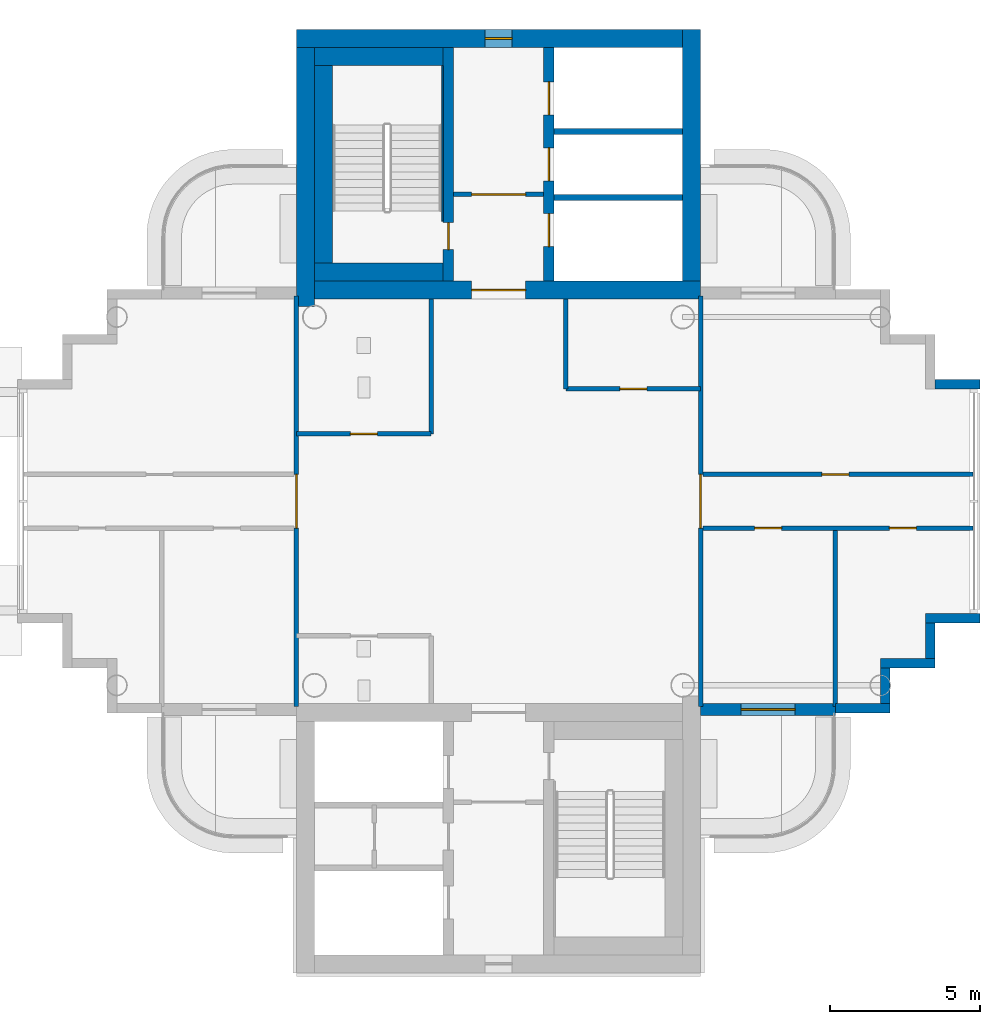
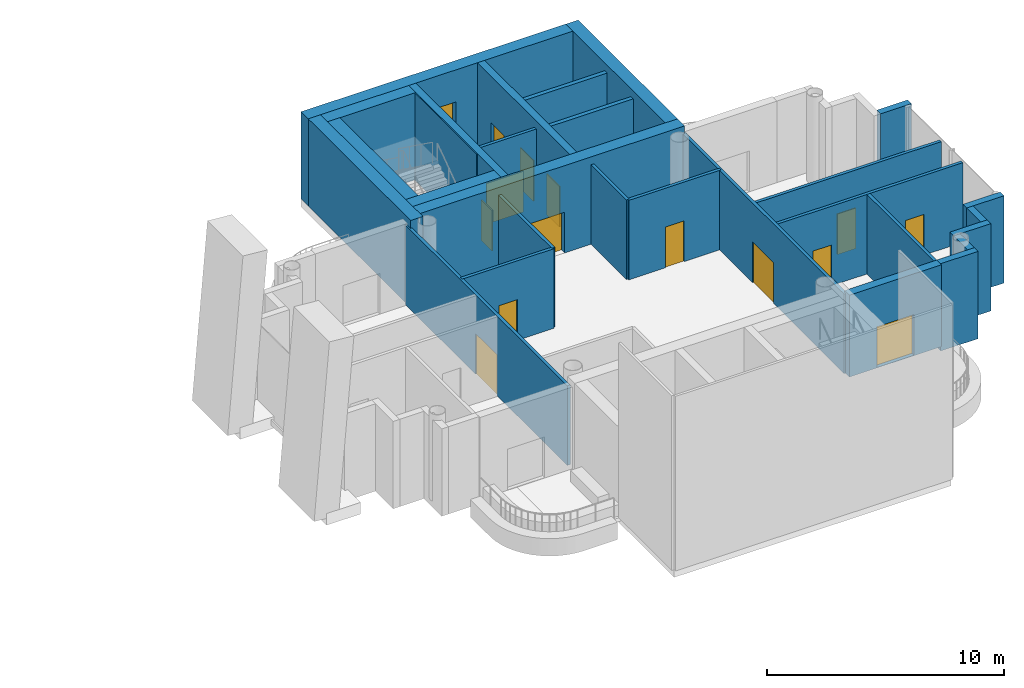
# One storey, part 10 of 19: 29 walls, 14 doors, 1 window, 15 openings.
"""IFC4 building model written with IfcOpenShell, lengths in metres."""

import ifcopenshell
import ifcopenshell.guid

model = None  # the IFC model being written
_history = None  # IfcOwnerHistory: only IFC2X3 demands one
_inside = {}  # id of a spatial element -> (the spatial element, [elements in it])
_under = {}  # id of a project, library or spatial element -> (it, [spatial elements below it])
_declared = {}  # id of a project -> (the project, [libraries it declares])
_typed = {}  # id of a type object -> (the type object, [elements of that type])
_made_of = {}  # id of a material, layer set ... -> (it, [elements and type objects made of it])


def new_model(schema):
    """Start an empty IFC model of exactly this schema.

    Asked for "IFC4X3", IfcOpenShell would pick the latest addendum, in which some entities
    have other attributes; the version numbers below select the first issue.
    IFC2X3 requires an IfcOwnerHistory on every rooted entity: one is made here for all.
    """
    global model, _history
    if schema == "IFC4X3":
        model = ifcopenshell.file(schema_version=(4, 3, 0, 0))
    else:
        model = ifcopenshell.file(schema=schema)
    _inside.clear()
    _under.clear()
    _declared.clear()
    _typed.clear()
    _made_of.clear()
    _history = None
    if model.schema == "IFC2X3":
        org = make("IfcOrganization", Name="unknown")
        user = make(
            "IfcPersonAndOrganization",
            ThePerson=make("IfcPerson", FamilyName="unknown"),
            TheOrganization=org,
        )
        app = make(
            "IfcApplication",
            ApplicationDeveloper=org,
            Version="unknown",
            ApplicationFullName="unknown",
            ApplicationIdentifier="unknown",
        )
        _history = make(
            "IfcOwnerHistory",
            OwningUser=user,
            OwningApplication=app,
            ChangeAction="ADDED",
            CreationDate=0,
        )
    return model


def make(cls, **values):
    """One entity of the class cls with the attributes given. An attribute that is None is left unset."""
    return model.create_entity(
        cls, **{name: value for name, value in values.items() if value is not None}
    )


def rooted(cls, **values):
    """An entity with a GlobalId (a new one), such as an element, a storey or a relation."""
    return make(cls, GlobalId=ifcopenshell.guid.new(), OwnerHistory=_history, **values)


def si_unit(unit_type, name, prefix=None):
    """IfcSIUnit, for example si_unit("LENGTHUNIT", "METRE", prefix="MILLI")."""
    return make("IfcSIUnit", UnitType=unit_type, Prefix=prefix, Name=name)


def assignment(units):
    """IfcUnitAssignment: the units of a project."""
    return None if units is None else make("IfcUnitAssignment", Units=units)


def point(xyz):
    """IfcCartesianPoint."""
    return None if xyz is None else make("IfcCartesianPoint", Coordinates=xyz)


def direction(xyz):
    """IfcDirection."""
    return None if xyz is None else make("IfcDirection", DirectionRatios=xyz)


def frame(location, z_axis=None, x_axis=None):
    """IfcAxis2Placement3D, a coordinate frame: its origin and axes. An axis left out is left unset."""
    return make(
        "IfcAxis2Placement3D",
        Location=point(location),
        Axis=direction(z_axis),
        RefDirection=direction(x_axis),
    )


def frame_2d(location, x_axis=None):
    """IfcAxis2Placement2D, a coordinate frame in the plane: its origin and x axis."""
    return make(
        "IfcAxis2Placement2D", Location=point(location), RefDirection=direction(x_axis)
    )


def origin():
    """The frame at (0, 0, 0) with its axes left unset."""
    return frame((0.0, 0.0, 0.0))


def place(relative_to, where):
    """IfcLocalPlacement: puts the frame where relative to a parent placement (None: the world)."""
    return make(
        "IfcLocalPlacement", PlacementRelTo=relative_to, RelativePlacement=where
    )


def context(
    kind, dimensions, precision=None, world=None, true_north=None, identifier=None
):
    """IfcGeometricRepresentationContext, for example the 3D "Model" context."""
    return make(
        "IfcGeometricRepresentationContext",
        ContextIdentifier=identifier,
        ContextType=kind,
        CoordinateSpaceDimension=dimensions,
        Precision=precision,
        WorldCoordinateSystem=world,
        TrueNorth=true_north,
    )


def subcontext(parent, identifier, kind, view, scale=None):
    """IfcGeometricRepresentationSubContext, for example "Body" below "Model"."""
    return make(
        "IfcGeometricRepresentationSubContext",
        ContextIdentifier=identifier,
        ContextType=kind,
        ParentContext=parent,
        TargetScale=scale,
        TargetView=view,
    )


def project(units=None, contexts=None):
    """IfcProject with its units and contexts."""
    return rooted(
        "IfcProject",
        Name="project",
        RepresentationContexts=contexts,
        UnitsInContext=assignment(units),
    )


def spatial(cls, under=None, at=None, **own):
    """A site, building, storey or space (cls), placed at a placement, below another one or the project."""
    s = rooted(cls, ObjectPlacement=at, **own)
    if under is not None:
        _under.setdefault(under.id(), (under, []))[1].append(s)
    return s


def profile(cls, at=None, kind="AREA", **sizes):
    """A parametric profile (cls). Its sizes go by their IFC names, for example OverallWidth=200.0."""
    return make(cls, ProfileType=kind, Position=at, **sizes)


def rectangle(**sizes):
    """IfcRectangleProfileDef."""
    return profile("IfcRectangleProfileDef", **sizes)


def extrude(swept, where, along, depth):
    """IfcExtrudedAreaSolid: the profile swept, set in the frame where, extruded along a direction by depth."""
    return make(
        "IfcExtrudedAreaSolid",
        SweptArea=swept,
        Position=where,
        ExtrudedDirection=direction(along),
        Depth=depth,
    )


def shape(context_of_items, identifier, shape_type, items):
    """IfcShapeRepresentation: the items that make up one representation, for example the "Body"."""
    return make(
        "IfcShapeRepresentation",
        ContextOfItems=context_of_items,
        RepresentationIdentifier=identifier,
        RepresentationType=shape_type,
        Items=items,
    )


def material(Name=None, Category=None):
    """IfcMaterial."""
    return make("IfcMaterial", Name=Name, Category=Category)


def layer(
    of_material, thickness, ventilated=None, Name=None, Category=None, Priority=None
):
    """IfcMaterialLayer: one layer of a wall or slab, of a material (None: an air gap)."""
    return make(
        "IfcMaterialLayer",
        Material=of_material,
        LayerThickness=thickness,
        IsVentilated=ventilated,
        Name=Name,
        Category=Category,
        Priority=Priority,
    )


def layer_set(layers, Name=None):
    """IfcMaterialLayerSet."""
    return make("IfcMaterialLayerSet", MaterialLayers=layers, LayerSetName=Name)


def made_of(thing, what):
    """Note that an element or type object is made of a material, layer set ...; save() writes the relation."""
    if what is not None:
        _made_of.setdefault(what.id(), (what, []))[1].append(thing)
    return thing


def type_object(cls, material=None, **own):
    """A type object (cls), such as IfcWallType, which elements share."""
    return made_of(rooted(cls, **own), material)


def element(
    cls,
    number,
    at=None,
    inside=None,
    cuts=None,
    type_object=None,
    material=None,
    context=None,
    identifier="Body",
    shape_type=None,
    held_by="IfcProductDefinitionShape",
    body=None,
    shapes=None,
    **own,
):
    """One element of the class cls, such as IfcWall. Its Tag is "e" and its number.

    at: its placement. inside: the storey or other place that contains it. cuts: it is an
    opening in that element (IfcRelVoidsElement). A single representation is given by context,
    identifier, shape_type and body (its items); several are given by shapes. held_by: the class
    of the entity that holds the representations. save() writes the other relations.
    """
    e = rooted(cls, Tag="e%d" % number, ObjectPlacement=at, **own)
    if body is not None:
        shapes = [shape(context, identifier, shape_type, body)]
    if shapes is not None:
        e.Representation = make(held_by, Representations=shapes)
    if inside is not None:
        _inside.setdefault(inside.id(), (inside, []))[1].append(e)
    if cuts is not None:
        rooted(
            "IfcRelVoidsElement", RelatingBuildingElement=cuts, RelatedOpeningElement=e
        )
    if type_object is not None:
        _typed.setdefault(type_object.id(), (type_object, []))[1].append(e)
    return made_of(e, material)


def fill(opening, filler):
    """IfcRelFillsElement: the door or window that sits in an opening."""
    return rooted(
        "IfcRelFillsElement",
        RelatingOpeningElement=opening,
        RelatedBuildingElement=filler,
    )


def aggregate(whole, parts):
    """IfcRelAggregates: a whole, such as a stair, and the parts it consists of."""
    return rooted("IfcRelAggregates", RelatingObject=whole, RelatedObjects=parts)


def save(model, path):
    """Write the relations noted so far, then the file.

    IfcRelAggregates (storeys below a building ...), IfcRelContainedInSpatialStructure (elements
    in a storey), IfcRelDefinesByType, IfcRelAssociatesMaterial and IfcRelDeclares: one each for
    every whole, place, type object, material and project.
    """
    for whole, parts in _under.values():
        aggregate(whole, parts)
    for where, things in _inside.values():
        rooted(
            "IfcRelContainedInSpatialStructure",
            RelatedElements=things,
            RelatingStructure=where,
        )
    for kind, things in _typed.values():
        rooted("IfcRelDefinesByType", RelatedObjects=things, RelatingType=kind)
    for what, things in _made_of.values():
        rooted("IfcRelAssociatesMaterial", RelatedObjects=things, RelatingMaterial=what)
    for by, libraries in _declared.values():
        rooted("IfcRelDeclares", RelatingContext=by, RelatedDefinitions=libraries)
    model.write(path)


model = new_model("IFC4")

# Units and contexts
model_context = context("Model", 3, precision=1e-05, world=origin(), true_north=direction((0.0, 1.0)))
body_context = subcontext(model_context, "Body", "Model", "MODEL_VIEW")
ifc_project = project(units=[si_unit("LENGTHUNIT", "METRE"), si_unit("AREAUNIT", "SQUARE_METRE"), si_unit("VOLUMEUNIT", "CUBIC_METRE"), si_unit("PLANEANGLEUNIT", "RADIAN"), si_unit("MASSUNIT", "GRAM", prefix="KILO")], contexts=[model_context])

# Site, building, storey
site_placement = place(None, origin())
site = spatial("IfcSite", under=ifc_project, at=site_placement, CompositionType="ELEMENT")
building_placement = place(site_placement, origin())
building = spatial("IfcBuilding", under=site, at=building_placement, Name="Ipe Terrace Towers", CompositionType="ELEMENT")
storey_placement = place(building_placement, frame((0.0, 0.0, 237.89990234375)))
storey = spatial("IfcBuildingStorey", under=building, at=storey_placement, Name="L66", CompositionType="ELEMENT", Elevation=237.89990234375)

# Wall, opening, door
ifc_material_1 = material(Name="Concrete C40/50 with buff precast cladding", Category="concrete")
ifc_layer_1 = layer(ifc_material_1, 0.39990234375)
ifc_layer_set_1 = layer_set([ifc_layer_1], Name="BALCONY BAY WALL 400")
wall_type_1 = type_object("IfcWallType", Name="BALCONY BAY WALL 400", PredefinedType="STANDARD", material=ifc_layer_set_1)
wall_1_placement = place(storey_placement, frame((42.75, -6.949951171875, -0.02001953125), z_axis=(0.0, 0.0, 1.0), x_axis=(1.0, 0.0, 0.0)))
wall_1 = element("IfcWall", 1, at=wall_1_placement, inside=storey, type_object=wall_type_1, Name="T2-W-L66-02a wall", PredefinedType="STANDARD", context=body_context, shape_type="SweptSolid", body=[
    extrude(rectangle(XDim=4.5, YDim=0.39990234375, at=frame_2d((2.25, 0.0))), origin(), (0.0, 0.0, 1.0), 4.22021484375),
])
opening_1_placement = place(wall_1_placement, frame((1.35009765625, 0.0, 0.02001953125)))
opening_1 = element("IfcOpeningElement", 2, at=opening_1_placement, cuts=wall_1, Name="Opening T2-D-L66-02", PredefinedType="OPENING", context=body_context, shape_type="SweptSolid", body=[
    extrude(rectangle(XDim=1.800048828125, YDim=2.10009765625, at=frame_2d((0.89990234375, 1.050048828125))), frame((0.0, 0.2099609375, 0.0), z_axis=(0.0, -1.0, 0.0), x_axis=(1.0, 0.0, 0.0)), (0.0, 0.0, 1.0), 0.419921875),
])
ifc_material_2 = material(Name="Aluminium alloy 6063-T6 framed glazed door", Category="aluminium")
door_type_1 = type_object("IfcDoorType", Name="BALCONY DOOR 1800 x 2100 RIGHT", OperationType="SINGLE_SWING_RIGHT", PredefinedType="DOOR", material=ifc_material_2)
door_1_placement = place(opening_1_placement, origin())
door_1 = element("IfcDoor", 3, at=door_1_placement, inside=storey, type_object=door_type_1, Name="DB2 door", OperationType="SINGLE_SWING_RIGHT", OverallHeight=2.10009765625, OverallWidth=1.800048828125, PredefinedType="DOOR", context=body_context, shape_type="SweptSolid", body=[
    extrude(rectangle(XDim=1.800048828125, YDim=2.10009765625, at=frame_2d((0.89990234375, 1.050048828125))), frame((0.0, 0.02490234375, 0.0), z_axis=(0.0, -1.0, 0.0), x_axis=(1.0, 0.0, 0.0)), (0.0, 0.0, 1.0), 0.050048828125),
])
fill(opening_1, door_1)

# Walls
ifc_material_3 = material(Name="Concrete C40/50 with buff precast cladding", Category="concrete")
ifc_layer_2 = layer(ifc_material_3, 0.320068359375)
ifc_layer_set_2 = layer_set([ifc_layer_2], Name="BUFF CLADDING WALL 320")
wall_type_2 = type_object("IfcWallType", Name="BUFF CLADDING WALL 320", PredefinedType="STANDARD", material=ifc_layer_set_2)
wall_2_placement = place(storey_placement, frame((47.25, -6.909912109375, -0.2998046875), z_axis=(0.0, 0.0, 1.0), x_axis=(1.0, 0.0, 0.0)))
element("IfcWall", 4, at=wall_2_placement, inside=storey, type_object=wall_type_2, Name="T2-W-L66-03a wall", PredefinedType="STANDARD", context=body_context, shape_type="SweptSolid", body=[
    extrude(rectangle(XDim=1.820068359375, YDim=0.320068359375, at=frame_2d((0.91015625, 0.0))), origin(), (0.0, 0.0, 1.0), 4.5),
])
wall_3_placement = place(storey_placement, frame((48.909912109375, -6.75, -0.2998046875), z_axis=(0.0, 0.0, 1.0), x_axis=(0.0, 1.0, 0.0)))
element("IfcWall", 5, at=wall_3_placement, inside=storey, type_object=wall_type_2, Name="T2-W-L66-04a wall", PredefinedType="STANDARD", context=body_context, shape_type="SweptSolid", body=[
    extrude(rectangle(XDim=1.179931640625, YDim=0.320068359375, at=frame_2d((0.58984375, 0.0))), origin(), (0.0, 0.0, 1.0), 4.5),
])
wall_4_placement = place(storey_placement, frame((48.75, -5.409912109375, -0.2998046875), z_axis=(0.0, 0.0, 1.0), x_axis=(1.0, 0.0, 0.0)))
element("IfcWall", 6, at=wall_4_placement, inside=storey, type_object=wall_type_2, Name="T2-W-L66-05a wall", PredefinedType="STANDARD", context=body_context, shape_type="SweptSolid", body=[
    extrude(rectangle(XDim=1.820068359375, YDim=0.320068359375, at=frame_2d((0.91015625, 0.0))), origin(), (0.0, 0.0, 1.0), 4.5),
])
wall_5_placement = place(storey_placement, frame((50.409912109375, -5.25, -0.2998046875), z_axis=(0.0, 0.0, 1.0), x_axis=(0.0, 1.0, 0.0)))
element("IfcWall", 7, at=wall_5_placement, inside=storey, type_object=wall_type_2, Name="T2-W-L66-06a wall", PredefinedType="STANDARD", context=body_context, shape_type="SweptSolid", body=[
    extrude(rectangle(XDim=1.179931640625, YDim=0.320068359375, at=frame_2d((0.58984375, 0.0))), origin(), (0.0, 0.0, 1.0), 4.5),
])
wall_6_placement = place(storey_placement, frame((50.25, -3.909912109375, -0.2998046875), z_axis=(0.0, 0.0, 1.0), x_axis=(1.0, 0.0, 0.0)))
element("IfcWall", 8, at=wall_6_placement, inside=storey, type_object=wall_type_2, Name="T2-W-L66-07a wall", PredefinedType="STANDARD", context=body_context, shape_type="SweptSolid", body=[
    extrude(rectangle(XDim=1.820068359375, YDim=0.320068359375, at=frame_2d((0.91015625, 0.0))), origin(), (0.0, 0.0, 1.0), 4.5),
])
wall_7_placement = place(storey_placement, frame((52.070068359375, 3.909912109375, -0.2998046875), z_axis=(0.0, 0.0, 1.0), x_axis=(-1.0, 0.0, 0.0)))
element("IfcWall", 9, at=wall_7_placement, inside=storey, type_object=wall_type_2, Name="T2-W-L66-09a wall", PredefinedType="STANDARD", context=body_context, shape_type="SweptSolid", body=[
    extrude(rectangle(XDim=1.5, YDim=0.320068359375, at=frame_2d((0.75, 0.0))), origin(), (0.0, 0.0, 1.0), 4.5),
])

# Wall, opening, door
ifc_material_4 = material(Name="Gypsum board partition", Category="plasterboard")
ifc_layer_3 = layer(ifc_material_4, 0.14990234375)
ifc_layer_set_3 = layer_set([ifc_layer_3], Name="Gypsum board partition 150 mm")
wall_type_3 = type_object("IfcWallType", Name="Gypsum board partition 150 mm", PredefinedType="PARTITIONING", material=ifc_layer_set_3)
wall_8_placement = place(storey_placement, frame((37.5, 10.25, 0.0), z_axis=(0.0, 0.0, 1.0), x_axis=(-1.0, 0.0, 0.0)))
wall_8 = element("IfcWall", 10, at=wall_8_placement, inside=storey, type_object=wall_type_3, Name="Gypsum board partition T2 L66 t2c1-lobby-wall", PredefinedType="PARTITIONING", context=body_context, shape_type="SweptSolid", body=[
    extrude(rectangle(XDim=3.0, YDim=0.14990234375, at=frame_2d((1.5, 0.0))), origin(), (0.0, 0.0, 1.0), 4.10009765625),
])
opening_2_placement = place(wall_8_placement, frame((0.60009765625, 0.0, 0.0)))
opening_2 = element("IfcOpeningElement", 11, at=opening_2_placement, cuts=wall_8, Name="Opening T2C1-VD", PredefinedType="OPENING", context=body_context, shape_type="SweptSolid", body=[
    extrude(rectangle(XDim=1.800048828125, YDim=2.10009765625, at=frame_2d((0.89990234375, 1.050048828125))), frame((0.0, 0.0849609375, 0.0), z_axis=(0.0, -1.0, 0.0), x_axis=(1.0, 0.0, 0.0)), (0.0, 0.0, 1.0), 0.169921875),
])
ifc_material_5 = material(Name="Fire-rated timber door leaf", Category="wood")
door_type_2 = type_object("IfcDoorType", Name="Lobby door 1800 x 2100 FD60", OperationType="NOTDEFINED", PredefinedType="DOOR", material=ifc_material_5)
door_2_placement = place(opening_2_placement, origin())
door_2 = element("IfcDoor", 12, at=door_2_placement, inside=storey, type_object=door_type_2, Name="Lobby door T2C1-VD", OperationType="SINGLE_SWING_LEFT", OverallHeight=2.10009765625, OverallWidth=1.800048828125, PredefinedType="DOOR", context=body_context, shape_type="SweptSolid", body=[
    extrude(rectangle(XDim=1.800048828125, YDim=2.10009765625, at=frame_2d((0.89990234375, 1.050048828125))), frame((0.0, 0.02490234375, 0.0), z_axis=(0.0, -1.0, 0.0), x_axis=(1.0, 0.0, 0.0)), (0.0, 0.0, 1.0), 0.050048828125),
])
fill(opening_2, door_2)

wall_9_placement = place(storey_placement, frame((33.75, 2.25, 0.0), z_axis=(0.0, 0.0, 1.0), x_axis=(-1.0, 0.0, 0.0)))
wall_9 = element("IfcWall", 13, at=wall_9_placement, inside=storey, type_object=wall_type_3, Name="Gypsum board partition T2 L66 sp-cne-x", PredefinedType="PARTITIONING", context=body_context, shape_type="SweptSolid", body=[
    extrude(rectangle(XDim=4.5, YDim=0.14990234375, at=frame_2d((2.25, 0.0))), origin(), (0.0, 0.0, 1.0), 4.10009765625),
])
opening_3_placement = place(wall_9_placement, frame((1.800048828125, 0.0, 0.0)))
opening_3 = element("IfcOpeningElement", 14, at=opening_3_placement, cuts=wall_9, Name="Opening T2-SP-CNE", PredefinedType="OPENING", context=body_context, shape_type="SweptSolid", body=[
    extrude(rectangle(XDim=0.89990234375, YDim=2.10009765625, at=frame_2d((0.449951171875, 1.050048828125))), frame((0.0, 0.0849609375, 0.0), z_axis=(0.0, -1.0, 0.0), x_axis=(1.0, 0.0, 0.0)), (0.0, 0.0, 1.0), 0.169921875),
])
ifc_material_6 = material(Name="Timber door leaf", Category="wood")
door_type_3 = type_object("IfcDoorType", Name="Bathroom door 900 x 2100", OperationType="NOTDEFINED", PredefinedType="DOOR", material=ifc_material_6)
door_3_placement = place(opening_3_placement, origin())
door_3 = element("IfcDoor", 15, at=door_3_placement, inside=storey, type_object=door_type_3, Name="Bathroom door T2-SP-CNE", OperationType="SINGLE_SWING_RIGHT", OverallHeight=2.10009765625, OverallWidth=0.89990234375, PredefinedType="DOOR", context=body_context, shape_type="SweptSolid", body=[
    extrude(rectangle(XDim=0.89990234375, YDim=2.10009765625, at=frame_2d((0.449951171875, 1.050048828125))), frame((0.0, 0.02490234375, 0.0), z_axis=(0.0, -1.0, 0.0), x_axis=(1.0, 0.0, 0.0)), (0.0, 0.0, 1.0), 0.050048828125),
])
fill(opening_3, door_3)

# Wall
wall_10_placement = place(storey_placement, frame((33.75, 2.25, 0.0), z_axis=(0.0, 0.0, 1.0), x_axis=(0.0, 1.0, 0.0)))
element("IfcWall", 16, at=wall_10_placement, inside=storey, type_object=wall_type_3, Name="Gypsum board partition T2 L66 sp-cne-y", PredefinedType="PARTITIONING", context=body_context, shape_type="SweptSolid", body=[
    extrude(rectangle(XDim=4.5, YDim=0.14990234375, at=frame_2d((2.25, 0.0))), origin(), (0.0, 0.0, 1.0), 4.10009765625),
])

# Wall, opening, door
wall_11_placement = place(storey_placement, frame((42.75, 3.75, 0.0), z_axis=(0.0, 0.0, 1.0), x_axis=(-1.0, 0.0, 0.0)))
wall_11 = element("IfcWall", 17, at=wall_11_placement, inside=storey, type_object=wall_type_3, Name="Gypsum board partition T2 L66 sp-cse-x", PredefinedType="PARTITIONING", context=body_context, shape_type="SweptSolid", body=[
    extrude(rectangle(XDim=4.5, YDim=0.14990234375, at=frame_2d((2.25, 0.0))), origin(), (0.0, 0.0, 1.0), 4.10009765625),
])
opening_4_placement = place(wall_11_placement, frame((1.800048828125, 0.0, 0.0)))
opening_4 = element("IfcOpeningElement", 18, at=opening_4_placement, cuts=wall_11, Name="Opening T2-SP-CSE", PredefinedType="OPENING", context=body_context, shape_type="SweptSolid", body=[
    extrude(rectangle(XDim=0.89990234375, YDim=2.10009765625, at=frame_2d((0.449951171875, 1.050048828125))), frame((0.0, 0.0849609375, 0.0), z_axis=(0.0, -1.0, 0.0), x_axis=(1.0, 0.0, 0.0)), (0.0, 0.0, 1.0), 0.169921875),
])
ifc_material_7 = material(Name="Timber door leaf", Category="wood")
door_type_4 = type_object("IfcDoorType", Name="Service door 900 x 2100", OperationType="NOTDEFINED", PredefinedType="DOOR", material=ifc_material_7)
door_4_placement = place(opening_4_placement, origin())
door_4 = element("IfcDoor", 19, at=door_4_placement, inside=storey, type_object=door_type_4, Name="Service door T2-SP-CSE", OperationType="SINGLE_SWING_RIGHT", OverallHeight=2.10009765625, OverallWidth=0.89990234375, PredefinedType="DOOR", context=body_context, shape_type="SweptSolid", body=[
    extrude(rectangle(XDim=0.89990234375, YDim=2.10009765625, at=frame_2d((0.449951171875, 1.050048828125))), frame((0.0, 0.02490234375, 0.0), z_axis=(0.0, -1.0, 0.0), x_axis=(1.0, 0.0, 0.0)), (0.0, 0.0, 1.0), 0.050048828125),
])
fill(opening_4, door_4)

# Wall
wall_12_placement = place(storey_placement, frame((38.25, 3.75, 0.0), z_axis=(0.0, 0.0, 1.0), x_axis=(0.0, 1.0, 0.0)))
element("IfcWall", 20, at=wall_12_placement, inside=storey, type_object=wall_type_3, Name="Gypsum board partition T2 L66 sp-cse-y", PredefinedType="PARTITIONING", context=body_context, shape_type="SweptSolid", body=[
    extrude(rectangle(XDim=3.0, YDim=0.14990234375, at=frame_2d((1.5, 0.0))), origin(), (0.0, 0.0, 1.0), 4.10009765625),
])

# Wall, opening, door
wall_13_placement = place(storey_placement, frame((29.25, -6.85009765625, 0.0), z_axis=(0.0, 0.0, 1.0), x_axis=(0.0, 1.0, 0.0)))
wall_13 = element("IfcWall", 21, at=wall_13_placement, inside=storey, type_object=wall_type_3, Name="Gypsum board partition T2 L66 sp-Sp-mouth", PredefinedType="PARTITIONING", context=body_context, shape_type="SweptSolid", body=[
    extrude(rectangle(XDim=13.7001953125, YDim=0.14990234375, at=frame_2d((6.85009765625, 0.0))), origin(), (0.0, 0.0, 1.0), 4.10009765625),
])
opening_5_placement = place(wall_13_placement, frame((5.949951171875, 0.0, 0.0)))
opening_5 = element("IfcOpeningElement", 22, at=opening_5_placement, cuts=wall_13, Name="Opening T2-SP-MSp", PredefinedType="OPENING", context=body_context, shape_type="SweptSolid", body=[
    extrude(rectangle(XDim=1.800048828125, YDim=2.10009765625, at=frame_2d((0.89990234375, 1.050048828125))), frame((0.0, 0.0849609375, 0.0), z_axis=(0.0, -1.0, 0.0), x_axis=(1.0, 0.0, 0.0)), (0.0, 0.0, 1.0), 0.169921875),
])
ifc_material_8 = material(Name="Fire-rated timber door leaf", Category="wood")
door_type_5 = type_object("IfcDoorType", Name="Lobby door 1800 x 2100 FD30S", OperationType="NOTDEFINED", PredefinedType="DOOR", material=ifc_material_8)
door_5_placement = place(opening_5_placement, origin())
door_5 = element("IfcDoor", 23, at=door_5_placement, inside=storey, type_object=door_type_5, Name="Lobby door T2-SP-MSp", OperationType="SINGLE_SWING_LEFT", OverallHeight=2.10009765625, OverallWidth=1.800048828125, PredefinedType="DOOR", context=body_context, shape_type="SweptSolid", body=[
    extrude(rectangle(XDim=1.800048828125, YDim=2.10009765625, at=frame_2d((0.89990234375, 1.050048828125))), frame((0.0, 0.02490234375, 0.0), z_axis=(0.0, -1.0, 0.0), x_axis=(1.0, 0.0, 0.0)), (0.0, 0.0, 1.0), 0.050048828125),
])
fill(opening_5, door_5)

wall_14_placement = place(storey_placement, frame((42.75, -6.85009765625, 0.0), z_axis=(0.0, 0.0, 1.0), x_axis=(0.0, 1.0, 0.0)))
wall_14 = element("IfcWall", 24, at=wall_14_placement, inside=storey, type_object=wall_type_3, Name="Gypsum board partition T2 L66 sp-Sm-mouth", PredefinedType="PARTITIONING", context=body_context, shape_type="SweptSolid", body=[
    extrude(rectangle(XDim=13.7001953125, YDim=0.14990234375, at=frame_2d((6.85009765625, 0.0))), origin(), (0.0, 0.0, 1.0), 4.10009765625),
])
opening_6_placement = place(wall_14_placement, frame((5.949951171875, 0.0, 0.0)))
opening_6 = element("IfcOpeningElement", 25, at=opening_6_placement, cuts=wall_14, Name="Opening T2-SP-MSm", PredefinedType="OPENING", context=body_context, shape_type="SweptSolid", body=[
    extrude(rectangle(XDim=1.800048828125, YDim=2.10009765625, at=frame_2d((0.89990234375, 1.050048828125))), frame((0.0, 0.0849609375, 0.0), z_axis=(0.0, -1.0, 0.0), x_axis=(1.0, 0.0, 0.0)), (0.0, 0.0, 1.0), 0.169921875),
])
door_6_placement = place(opening_6_placement, origin())
door_6 = element("IfcDoor", 26, at=door_6_placement, inside=storey, type_object=door_type_5, Name="Lobby door T2-SP-MSm", OperationType="SINGLE_SWING_RIGHT", OverallHeight=2.10009765625, OverallWidth=1.800048828125, PredefinedType="DOOR", context=body_context, shape_type="SweptSolid", body=[
    extrude(rectangle(XDim=1.800048828125, YDim=2.10009765625, at=frame_2d((0.89990234375, 1.050048828125))), frame((0.0, 0.02490234375, 0.0), z_axis=(0.0, -1.0, 0.0), x_axis=(1.0, 0.0, 0.0)), (0.0, 0.0, 1.0), 0.050048828125),
])
fill(opening_6, door_6)

wall_15_placement = place(storey_placement, frame((51.85009765625, 0.89990234375, 0.0), z_axis=(0.0, 0.0, 1.0), x_axis=(-1.0, 0.0, 0.0)))
wall_15 = element("IfcWall", 27, at=wall_15_placement, inside=storey, type_object=wall_type_3, Name="Gypsum board partition T2 L66 sp-Sm-wp", PredefinedType="PARTITIONING", context=body_context, shape_type="SweptSolid", body=[
    extrude(rectangle(XDim=9.025146484375, YDim=0.14990234375, at=frame_2d((4.5126953125, 0.0))), origin(), (0.0, 0.0, 1.0), 4.10009765625),
])
opening_7_placement = place(wall_15_placement, frame((4.14990234375, 0.0, 0.0)))
opening_7 = element("IfcOpeningElement", 28, at=opening_7_placement, cuts=wall_15, Name="Opening T2-SP-PSm1", PredefinedType="OPENING", context=body_context, shape_type="SweptSolid", body=[
    extrude(rectangle(XDim=0.89990234375, YDim=2.10009765625, at=frame_2d((0.449951171875, 1.050048828125))), frame((0.0, 0.0849609375, 0.0), z_axis=(0.0, -1.0, 0.0), x_axis=(1.0, 0.0, 0.0)), (0.0, 0.0, 1.0), 0.169921875),
])
ifc_material_9 = material(Name="Fire-rated timber door leaf", Category="wood")
door_type_6 = type_object("IfcDoorType", Name="Lounge door 900 x 2100 FD30S", OperationType="NOTDEFINED", PredefinedType="DOOR", material=ifc_material_9)
door_7_placement = place(opening_7_placement, origin())
door_7 = element("IfcDoor", 29, at=door_7_placement, inside=storey, type_object=door_type_6, Name="Lounge door T2-SP-PSm1", OperationType="SINGLE_SWING_LEFT", OverallHeight=2.10009765625, OverallWidth=0.89990234375, PredefinedType="DOOR", context=body_context, shape_type="SweptSolid", body=[
    extrude(rectangle(XDim=0.89990234375, YDim=2.10009765625, at=frame_2d((0.449951171875, 1.050048828125))), frame((0.0, 0.02490234375, 0.0), z_axis=(0.0, -1.0, 0.0), x_axis=(1.0, 0.0, 0.0)), (0.0, 0.0, 1.0), 0.050048828125),
])
fill(opening_7, door_7)

# Wall, openings, doors
wall_16_placement = place(storey_placement, frame((51.85009765625, -0.89990234375, 0.0), z_axis=(0.0, 0.0, 1.0), x_axis=(-1.0, 0.0, 0.0)))
wall_16 = element("IfcWall", 30, at=wall_16_placement, inside=storey, type_object=wall_type_3, Name="Gypsum board partition T2 L66 sp-Sm-wm", PredefinedType="PARTITIONING", context=body_context, shape_type="SweptSolid", body=[
    extrude(rectangle(XDim=9.025146484375, YDim=0.14990234375, at=frame_2d((4.5126953125, 0.0))), origin(), (0.0, 0.0, 1.0), 4.10009765625),
])
opening_8_placement = place(wall_16_placement, frame((1.89990234375, 0.0, 0.0)))
opening_8 = element("IfcOpeningElement", 31, at=opening_8_placement, cuts=wall_16, Name="Opening T2-SP-MSm1", PredefinedType="OPENING", context=body_context, shape_type="SweptSolid", body=[
    extrude(rectangle(XDim=0.89990234375, YDim=2.10009765625, at=frame_2d((0.449951171875, 1.050048828125))), frame((0.0, 0.0849609375, 0.0), z_axis=(0.0, -1.0, 0.0), x_axis=(1.0, 0.0, 0.0)), (0.0, 0.0, 1.0), 0.169921875),
])
opening_9_placement = place(wall_16_placement, frame((6.39990234375, 0.0, 0.0)))
opening_9 = element("IfcOpeningElement", 32, at=opening_9_placement, cuts=wall_16, Name="Opening T2-SP-MSm2", PredefinedType="OPENING", context=body_context, shape_type="SweptSolid", body=[
    extrude(rectangle(XDim=0.89990234375, YDim=2.10009765625, at=frame_2d((0.449951171875, 1.050048828125))), frame((0.0, 0.0849609375, 0.0), z_axis=(0.0, -1.0, 0.0), x_axis=(1.0, 0.0, 0.0)), (0.0, 0.0, 1.0), 0.169921875),
])
door_8_placement = place(opening_8_placement, origin())
door_8 = element("IfcDoor", 33, at=door_8_placement, inside=storey, type_object=door_type_6, Name="Lounge door T2-SP-MSm1", OperationType="SINGLE_SWING_RIGHT", OverallHeight=2.10009765625, OverallWidth=0.89990234375, PredefinedType="DOOR", context=body_context, shape_type="SweptSolid", body=[
    extrude(rectangle(XDim=0.89990234375, YDim=2.10009765625, at=frame_2d((0.449951171875, 1.050048828125))), frame((0.0, 0.02490234375, 0.0), z_axis=(0.0, -1.0, 0.0), x_axis=(1.0, 0.0, 0.0)), (0.0, 0.0, 1.0), 0.050048828125),
])
fill(opening_8, door_8)
door_9_placement = place(opening_9_placement, origin())
door_9 = element("IfcDoor", 34, at=door_9_placement, inside=storey, type_object=door_type_6, Name="Lounge door T2-SP-MSm2", OperationType="SINGLE_SWING_LEFT", OverallHeight=2.10009765625, OverallWidth=0.89990234375, PredefinedType="DOOR", context=body_context, shape_type="SweptSolid", body=[
    extrude(rectangle(XDim=0.89990234375, YDim=2.10009765625, at=frame_2d((0.449951171875, 1.050048828125))), frame((0.0, 0.02490234375, 0.0), z_axis=(0.0, -1.0, 0.0), x_axis=(1.0, 0.0, 0.0)), (0.0, 0.0, 1.0), 0.050048828125),
])
fill(opening_9, door_9)

# Walls
wall_17_placement = place(storey_placement, frame((47.25, -0.97509765625, 0.0), z_axis=(0.0, 0.0, 1.0), x_axis=(0.0, -1.0, 0.0)))
element("IfcWall", 35, at=wall_17_placement, inside=storey, type_object=wall_type_3, Name="Gypsum board partition T2 L66 sp-Sm-dm1", PredefinedType="PARTITIONING", context=body_context, shape_type="SweptSolid", body=[
    extrude(rectangle(XDim=5.875, YDim=0.14990234375, at=frame_2d((2.9375, 0.0))), origin(), (0.0, 0.0, 1.0), 4.10009765625),
])
ifc_material_10 = material(Name="Gypsum board party wall", Category="plasterboard")
ifc_layer_4 = layer(ifc_material_10, 0.199951171875)
ifc_layer_set_4 = layer_set([ifc_layer_4], Name="Gypsum board party wall 200 mm")
wall_type_4 = type_object("IfcWallType", Name="Gypsum board party wall 200 mm", PredefinedType="SOLIDWALL", material=ifc_layer_set_4)
for number, where, z_axis, x_axis, name in (
    (36, (42.14990234375, 10.14990234375, 0.0), (0.0, 0.0, 1.0), (-1.0, 0.0, 0.0), "Gypsum board party wall T2 L66 t2c1-shaft-div1"),
    (37, (42.14990234375, 12.35009765625, 0.0), (0.0, 0.0, 1.0), (-1.0, 0.0, 0.0), "Gypsum board party wall T2 L66 t2c1-shaft-div2"),
):
    element("IfcWall", number, at=place(storey_placement, frame(where, z_axis=z_axis, x_axis=x_axis)), inside=storey, type_object=wall_type_4, Name=name, PredefinedType="SOLIDWALL", context=body_context, shape_type="SweptSolid", body=[
        extrude(rectangle(XDim=4.2998046875, YDim=0.199951171875, at=frame_2d((2.14990234375, 0.0))), origin(), (0.0, 0.0, 1.0), 4.10009765625),
    ])

# Wall, opening, door
ifc_material_11 = material(Name="Concrete C40/50", Category="concrete")
ifc_layer_5 = layer(ifc_material_11, 0.35009765625)
ifc_layer_set_5 = layer_set([ifc_layer_5], Name="RW350 CORE SPINE WALL 350 C40-50")
wall_type_5 = type_object("IfcWallType", Name="RW350 CORE SPINE WALL 350 C40-50", PredefinedType="SHEAR", material=ifc_layer_set_5)
wall_18_placement = place(storey_placement, frame((34.324951171875, 7.35009765625, 0.0), z_axis=(0.0, 0.0, 1.0), x_axis=(0.0, 1.0, 0.0)))
wall_18 = element("IfcWall", 38, at=wall_18_placement, inside=storey, type_object=wall_type_5, Name="Core spine wall T2-C1-Z4-SW1", PredefinedType="SHEAR", context=body_context, shape_type="SweptSolid", body=[
    extrude(rectangle(XDim=7.7998046875, YDim=0.35009765625, at=frame_2d((3.89990234375, 0.0))), origin(), (0.0, 0.0, 1.0), 4.5),
])
opening_10_placement = place(wall_18_placement, frame((1.050048828125, 0.0, 0.0)))
opening_10 = element("IfcOpeningElement", 39, at=opening_10_placement, cuts=wall_18, Name="Opening T2C1-SD", PredefinedType="OPENING", context=body_context, shape_type="SweptSolid", body=[
    extrude(rectangle(XDim=0.89990234375, YDim=2.10009765625, at=frame_2d((0.449951171875, 1.050048828125))), frame((0.0, 0.18505859375, 0.0), z_axis=(0.0, -1.0, 0.0), x_axis=(1.0, 0.0, 0.0)), (0.0, 0.0, 1.0), 0.3701171875),
])
ifc_material_12 = material(Name="Fire-rated timber door leaf", Category="wood")
door_type_7 = type_object("IfcDoorType", Name="Stair door 900 x 2100 FD60", OperationType="NOTDEFINED", PredefinedType="DOOR", material=ifc_material_12)
door_10_placement = place(opening_10_placement, origin())
door_10 = element("IfcDoor", 40, at=door_10_placement, inside=storey, type_object=door_type_7, Name="Stair door T2C1-SD", OperationType="SINGLE_SWING_LEFT", OverallHeight=2.10009765625, OverallWidth=0.89990234375, PredefinedType="DOOR", context=body_context, shape_type="SweptSolid", body=[
    extrude(rectangle(XDim=0.89990234375, YDim=2.10009765625, at=frame_2d((0.449951171875, 1.050048828125))), frame((0.0, 0.02490234375, 0.0), z_axis=(0.0, -1.0, 0.0), x_axis=(1.0, 0.0, 0.0)), (0.0, 0.0, 1.0), 0.050048828125),
])
fill(opening_10, door_10)

# Wall, openings, doors
wall_19_placement = place(storey_placement, frame((37.675048828125, 7.35009765625, 0.0), z_axis=(0.0, 0.0, 1.0), x_axis=(0.0, 1.0, 0.0)))
wall_19 = element("IfcWall", 41, at=wall_19_placement, inside=storey, type_object=wall_type_5, Name="Core spine wall T2-C1-Z4-SW2", PredefinedType="SHEAR", context=body_context, shape_type="SweptSolid", body=[
    extrude(rectangle(XDim=7.7998046875, YDim=0.35009765625, at=frame_2d((3.89990234375, 0.0))), origin(), (0.0, 0.0, 1.0), 4.5),
])
opening_11_placement = place(wall_19_placement, frame((1.14990234375, 0.0, 0.0)))
opening_11 = element("IfcOpeningElement", 42, at=opening_11_placement, cuts=wall_19, Name="Opening T2C1-LD1", PredefinedType="OPENING", context=body_context, shape_type="SweptSolid", body=[
    extrude(rectangle(XDim=1.10009765625, YDim=2.10009765625, at=frame_2d((0.550048828125, 1.050048828125))), frame((0.0, 0.18505859375, 0.0), z_axis=(0.0, -1.0, 0.0), x_axis=(1.0, 0.0, 0.0)), (0.0, 0.0, 1.0), 0.3701171875),
])
opening_12_placement = place(wall_19_placement, frame((3.35009765625, 0.0, 0.0)))
opening_12 = element("IfcOpeningElement", 43, at=opening_12_placement, cuts=wall_19, Name="Opening T2C1-LD2", PredefinedType="OPENING", context=body_context, shape_type="SweptSolid", body=[
    extrude(rectangle(XDim=1.10009765625, YDim=2.10009765625, at=frame_2d((0.550048828125, 1.050048828125))), frame((0.0, 0.18505859375, 0.0), z_axis=(0.0, -1.0, 0.0), x_axis=(1.0, 0.0, 0.0)), (0.0, 0.0, 1.0), 0.3701171875),
])
opening_13_placement = place(wall_19_placement, frame((5.550048828125, 0.0, 0.0)))
opening_13 = element("IfcOpeningElement", 44, at=opening_13_placement, cuts=wall_19, Name="Opening T2C1-LD3", PredefinedType="OPENING", context=body_context, shape_type="SweptSolid", body=[
    extrude(rectangle(XDim=1.10009765625, YDim=2.10009765625, at=frame_2d((0.550048828125, 1.050048828125))), frame((0.0, 0.18505859375, 0.0), z_axis=(0.0, -1.0, 0.0), x_axis=(1.0, 0.0, 0.0)), (0.0, 0.0, 1.0), 0.3701171875),
])
ifc_material_13 = material(Name="Fire-rated timber door leaf", Category="wood")
door_type_8 = type_object("IfcDoorType", Name="Sliding door 1100 x 2100 FD60", OperationType="SLIDING_TO_LEFT", PredefinedType="DOOR", material=ifc_material_13)
door_11_placement = place(opening_11_placement, origin())
door_11 = element("IfcDoor", 45, at=door_11_placement, inside=storey, type_object=door_type_8, Name="Sliding door T2C1-LD1", OperationType="SLIDING_TO_LEFT", OverallHeight=2.10009765625, OverallWidth=1.10009765625, PredefinedType="DOOR", context=body_context, shape_type="SweptSolid", body=[
    extrude(rectangle(XDim=1.10009765625, YDim=2.10009765625, at=frame_2d((0.550048828125, 1.050048828125))), frame((0.0, 0.02490234375, 0.0), z_axis=(0.0, -1.0, 0.0), x_axis=(1.0, 0.0, 0.0)), (0.0, 0.0, 1.0), 0.050048828125),
])
fill(opening_11, door_11)
door_12_placement = place(opening_12_placement, origin())
door_12 = element("IfcDoor", 46, at=door_12_placement, inside=storey, type_object=door_type_8, Name="Sliding door T2C1-LD2", OperationType="SLIDING_TO_LEFT", OverallHeight=2.10009765625, OverallWidth=1.10009765625, PredefinedType="DOOR", context=body_context, shape_type="SweptSolid", body=[
    extrude(rectangle(XDim=1.10009765625, YDim=2.10009765625, at=frame_2d((0.550048828125, 1.050048828125))), frame((0.0, 0.02490234375, 0.0), z_axis=(0.0, -1.0, 0.0), x_axis=(1.0, 0.0, 0.0)), (0.0, 0.0, 1.0), 0.050048828125),
])
fill(opening_12, door_12)
door_13_placement = place(opening_13_placement, origin())
door_13 = element("IfcDoor", 47, at=door_13_placement, inside=storey, type_object=door_type_8, Name="Sliding door T2C1-LD3", OperationType="SLIDING_TO_LEFT", OverallHeight=2.10009765625, OverallWidth=1.10009765625, PredefinedType="DOOR", context=body_context, shape_type="SweptSolid", body=[
    extrude(rectangle(XDim=1.10009765625, YDim=2.10009765625, at=frame_2d((0.550048828125, 1.050048828125))), frame((0.0, 0.02490234375, 0.0), z_axis=(0.0, -1.0, 0.0), x_axis=(1.0, 0.0, 0.0)), (0.0, 0.0, 1.0), 0.050048828125),
])
fill(opening_13, door_13)

# Walls
ifc_material_14 = material(Name="Concrete C40/50", Category="concrete")
ifc_layer_6 = layer(ifc_material_14, 0.050048828125)
ifc_layer_set_6 = layer_set([ifc_layer_6], Name="RW50 CORE INFILL WALL 50 C40-50")
wall_type_6 = type_object("IfcWallType", Name="RW50 CORE INFILL WALL 50 C40-50", PredefinedType="SHEAR", material=ifc_layer_set_6)
wall_20_placement = place(storey_placement, frame((34.125, 9.35009765625, 0.0), z_axis=(0.0, 0.0, 1.0), x_axis=(0.0, 1.0, 0.0)))
element("IfcWall", 48, at=wall_20_placement, inside=storey, type_object=wall_type_6, Name="Core infill wall T2-C1-spine-b", PredefinedType="SHEAR", context=body_context, shape_type="SweptSolid", body=[
    extrude(rectangle(XDim=5.199951171875, YDim=0.050048828125, at=frame_2d((2.60009765625, 0.0))), origin(), (0.0, 0.0, 1.0), 4.5),
])
ifc_material_15 = material(Name="Concrete C40/50", Category="concrete")
ifc_layer_7 = layer(ifc_material_15, 0.60009765625)
ifc_layer_set_7 = layer_set([ifc_layer_7], Name="RW600 CORE INFILL WALL 600 C40-50")
wall_type_7 = type_object("IfcWallType", Name="RW600 CORE INFILL WALL 600 C40-50", PredefinedType="SHEAR", material=ifc_layer_set_7)
wall_21_placement = place(storey_placement, frame((34.14990234375, 14.85009765625, 0.0), z_axis=(0.0, 0.0, 1.0), x_axis=(-1.0, 0.0, 0.0)))
element("IfcWall", 49, at=wall_21_placement, inside=storey, type_object=wall_type_7, Name="Core infill wall T2-C1-far", PredefinedType="SHEAR", context=body_context, shape_type="SweptSolid", body=[
    extrude(rectangle(XDim=4.2998046875, YDim=0.60009765625, at=frame_2d((2.14990234375, 0.0))), origin(), (0.0, 0.0, 1.0), 4.5),
])
wall_22_placement = place(storey_placement, frame((30.14990234375, 7.949951171875, 0.0), z_axis=(0.0, 0.0, 1.0), x_axis=(0.0, 1.0, 0.0)))
element("IfcWall", 50, at=wall_22_placement, inside=storey, type_object=wall_type_7, Name="Core infill wall T2-C1-back", PredefinedType="SHEAR", context=body_context, shape_type="SweptSolid", body=[
    extrude(rectangle(XDim=6.60009765625, YDim=0.60009765625, at=frame_2d((3.300048828125, 0.0))), origin(), (0.0, 0.0, 1.0), 4.5),
])
wall_23_placement = place(storey_placement, frame((34.14990234375, 7.64990234375, 0.0), z_axis=(0.0, 0.0, 1.0), x_axis=(-1.0, 0.0, 0.0)))
element("IfcWall", 51, at=wall_23_placement, inside=storey, type_object=wall_type_7, Name="Core infill wall T2-C1-near", PredefinedType="SHEAR", context=body_context, shape_type="SweptSolid", body=[
    extrude(rectangle(XDim=4.2998046875, YDim=0.60009765625, at=frame_2d((2.14990234375, 0.0))), origin(), (0.0, 0.0, 1.0), 4.5),
])

# Wall, opening, door
ifc_material_16 = material(Name="Concrete C40/50", Category="concrete")
ifc_layer_8 = layer(ifc_material_16, 0.60009765625)
ifc_layer_set_8 = layer_set([ifc_layer_8], Name="RW600 CORE WALL 600 C40-50")
wall_type_8 = type_object("IfcWallType", Name="RW600 CORE WALL 600 C40-50", PredefinedType="SHEAR", material=ifc_layer_set_8)
wall_24_placement = place(storey_placement, frame((29.85009765625, 7.050048828125, 0.0), z_axis=(0.0, 0.0, 1.0), x_axis=(1.0, 0.0, 0.0)))
wall_24 = element("IfcWall", 52, at=wall_24_placement, inside=storey, type_object=wall_type_8, Name="Core wall T2-C1-Z4-W01", PredefinedType="SHEAR", context=body_context, shape_type="SweptSolid", body=[
    extrude(rectangle(XDim=12.89990234375, YDim=0.60009765625, at=frame_2d((6.449951171875, 0.0))), origin(), (0.0, 0.0, 1.0), 4.5),
])
opening_14_placement = place(wall_24_placement, frame((5.25, 0.0, 0.0)))
opening_14 = element("IfcOpeningElement", 53, at=opening_14_placement, cuts=wall_24, Name="Opening T2C1-ND", PredefinedType="OPENING", context=body_context, shape_type="SweptSolid", body=[
    extrude(rectangle(XDim=1.800048828125, YDim=2.10009765625, at=frame_2d((0.89990234375, 1.050048828125))), frame((0.0, 0.31005859375, 0.0), z_axis=(0.0, -1.0, 0.0), x_axis=(1.0, 0.0, 0.0)), (0.0, 0.0, 1.0), 0.6201171875),
])
ifc_material_17 = material(Name="Fire-rated timber door leaf", Category="wood")
door_type_9 = type_object("IfcDoorType", Name="Fire door 1800 x 2100 FD30S", OperationType="NOTDEFINED", PredefinedType="DOOR", material=ifc_material_17)
door_14_placement = place(opening_14_placement, origin())
door_14 = element("IfcDoor", 54, at=door_14_placement, inside=storey, type_object=door_type_9, Name="Fire door T2C1-ND", OperationType="SINGLE_SWING_LEFT", OverallHeight=2.10009765625, OverallWidth=1.800048828125, PredefinedType="DOOR", context=body_context, shape_type="SweptSolid", body=[
    extrude(rectangle(XDim=1.800048828125, YDim=2.10009765625, at=frame_2d((0.89990234375, 1.050048828125))), frame((0.0, 0.02490234375, 0.0), z_axis=(0.0, -1.0, 0.0), x_axis=(1.0, 0.0, 0.0)), (0.0, 0.0, 1.0), 0.050048828125),
])
fill(opening_14, door_14)

# Wall
wall_25_placement = place(storey_placement, frame((42.449951171875, 7.35009765625, 0.0), z_axis=(0.0, 0.0, 1.0), x_axis=(0.0, 1.0, 0.0)))
element("IfcWall", 55, at=wall_25_placement, inside=storey, type_object=wall_type_8, Name="Core wall T2-C1-Z4-W02", PredefinedType="SHEAR", context=body_context, shape_type="SweptSolid", body=[
    extrude(rectangle(XDim=8.39990234375, YDim=0.60009765625, at=frame_2d((4.199951171875, 0.0))), origin(), (0.0, 0.0, 1.0), 4.5),
])

# Wall, opening, window
wall_26_placement = place(storey_placement, frame((42.14990234375, 15.449951171875, 0.0), z_axis=(0.0, 0.0, 1.0), x_axis=(-1.0, 0.0, 0.0)))
wall_26 = element("IfcWall", 56, at=wall_26_placement, inside=storey, type_object=wall_type_8, Name="Core wall T2-C1-Z4-W03", PredefinedType="SHEAR", context=body_context, shape_type="SweptSolid", body=[
    extrude(rectangle(XDim=12.89990234375, YDim=0.60009765625, at=frame_2d((6.449951171875, 0.0))), origin(), (0.0, 0.0, 1.0), 4.5),
])
opening_15_placement = place(wall_26_placement, frame((5.699951171875, 0.0, 0.449951171875)))
opening_15 = element("IfcOpeningElement", 57, at=opening_15_placement, cuts=wall_26, Name="Opening T2-C1-W-01-L66", PredefinedType="OPENING", context=body_context, shape_type="SweptSolid", body=[
    extrude(rectangle(XDim=0.89990234375, YDim=2.39990234375, at=frame_2d((0.449951171875, 1.199951171875))), frame((0.0, 0.31005859375, 0.0), z_axis=(0.0, -1.0, 0.0), x_axis=(1.0, 0.0, 0.0)), (0.0, 0.0, 1.0), 0.6201171875),
])
ifc_material_18 = material(Name="Fire-resistant glazing EI 60", Category="glass")
window_type = type_object("IfcWindowType", Name="CORRIDOR END SLOT WINDOW 900 x 2400 EI 60", PartitioningType="SINGLE_PANEL", PredefinedType="WINDOW", material=ifc_material_18)
window_placement = place(opening_15_placement, origin())
window = element("IfcWindow", 58, at=window_placement, inside=storey, type_object=window_type, Name="W-01 window", OverallHeight=2.39990234375, OverallWidth=0.89990234375, PartitioningType="SINGLE_PANEL", PredefinedType="WINDOW", context=body_context, shape_type="SweptSolid", body=[
    extrude(rectangle(XDim=0.89990234375, YDim=2.39990234375, at=frame_2d((0.449951171875, 1.199951171875))), frame((0.0, 0.030029296875, 0.0), z_axis=(0.0, -1.0, 0.0), x_axis=(1.0, 0.0, 0.0)), (0.0, 0.0, 1.0), 0.06005859375),
])
fill(opening_15, window)

# Wall
wall_27_placement = place(storey_placement, frame((29.550048828125, 15.14990234375, 0.0), z_axis=(0.0, 0.0, 1.0), x_axis=(0.0, -1.0, 0.0)))
element("IfcWall", 59, at=wall_27_placement, inside=storey, type_object=wall_type_8, Name="Core wall T2-C1-Z4-W04", PredefinedType="SHEAR", context=body_context, shape_type="SweptSolid", body=[
    extrude(rectangle(XDim=8.64794921875, YDim=0.60009765625, at=frame_2d((4.323974609375, 0.0))), origin(), (0.0, 0.0, 1.0), 4.5),
])

save(model, "model.ifc")
